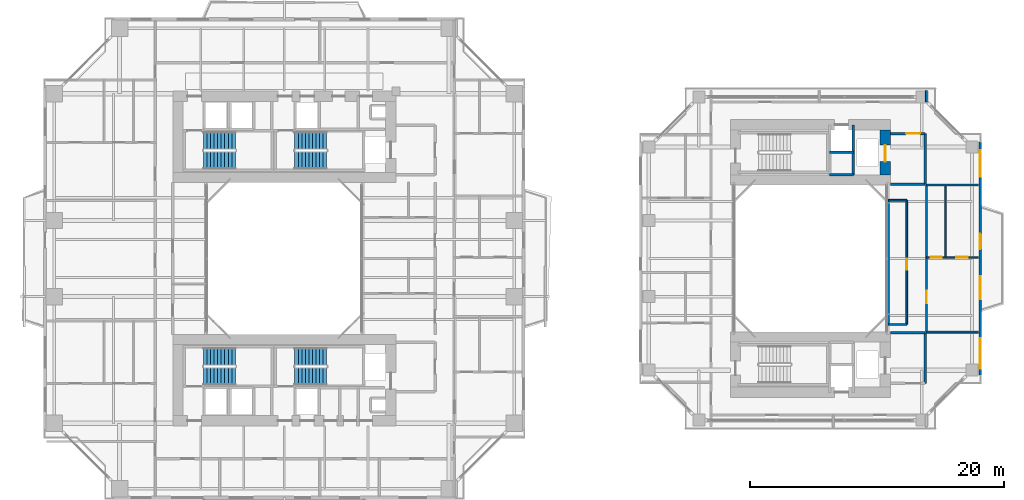
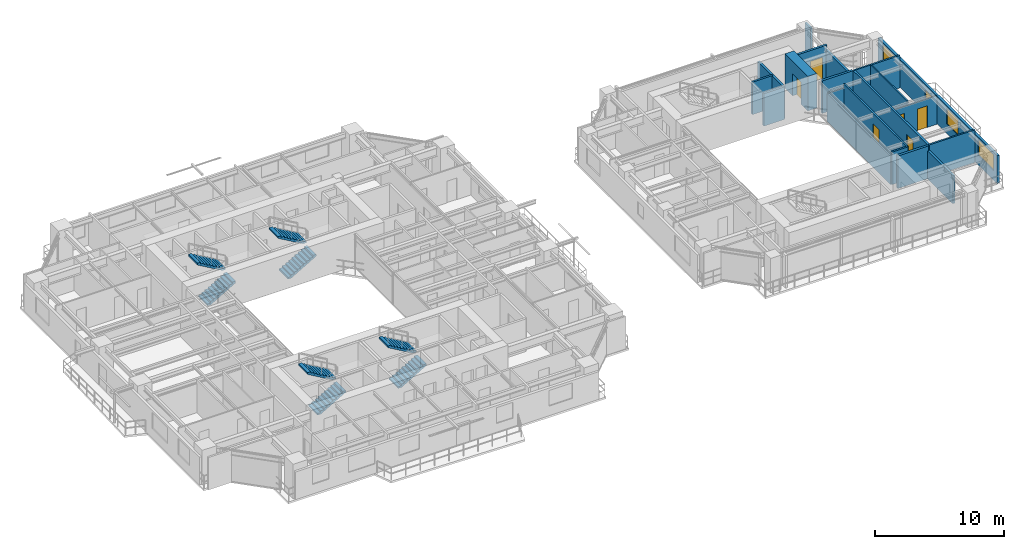
# One storey, part 18 of 24: 20 walls, 8 stair flights, 7 doors, 3 windows, 10 openings, 4 elements without a shape of their own.
"""IFC4 building model written with IfcOpenShell, lengths in metres."""

from ifc_helpers import new_model, si_unit, direction, frame, frame_2d, origin, place, context, subcontext, project, spatial, polyline, rectangle, outline, extrude, source, transform, mapped, material, layer, layer_set, type_object, element, fill, aggregate, save


model = new_model("IFC4")

# Units and contexts
model_context = context("Model", 3, precision=1e-05, world=origin(), true_north=direction((0.0, 1.0)))
body_context = subcontext(model_context, "Body", "Model", "MODEL_VIEW")
ifc_project = project(units=[si_unit("LENGTHUNIT", "METRE"), si_unit("AREAUNIT", "SQUARE_METRE"), si_unit("VOLUMEUNIT", "CUBIC_METRE"), si_unit("PLANEANGLEUNIT", "RADIAN"), si_unit("MASSUNIT", "GRAM", prefix="KILO"), si_unit("THERMODYNAMICTEMPERATUREUNIT", "KELVIN"), si_unit("POWERUNIT", "WATT")], contexts=[model_context])

# Site, building, storey
site_placement = place(None, origin())
site = spatial("IfcSite", under=ifc_project, at=site_placement, CompositionType="ELEMENT")
building_placement = place(site_placement, origin())
building = spatial("IfcBuilding", under=site, at=building_placement, Name="Qiaomeng Ring Towers", CompositionType="ELEMENT")
storey_placement = place(building_placement, frame((0.0, 0.0, 56.75)))
storey = spatial("IfcBuildingStorey", under=building, at=storey_placement, Name="L15", CompositionType="ELEMENT", Elevation=56.75)

# Wall, openings, windows, door
ifc_material_1 = material(Name="Precast concrete C40", Category="concrete")
ifc_layer_1 = layer(ifc_material_1, 0.219970703125, Name="Precast concrete C40")
ifc_layer_set_1 = layer_set([ifc_layer_1], Name="Precast concrete C40")
wall_type_1 = type_object("IfcWallType", Name="ARC-WL-EW2", PredefinedType="STANDARD", material=ifc_layer_set_1)
wall_1_placement = place(storey_placement, frame((73.889892578125, 13.800048828125, 0.0), z_axis=(0.0, 0.0, 1.0), x_axis=(0.0, 1.0, 0.0)))
wall_1 = element("IfcWall", 1, at=wall_1_placement, inside=storey, type_object=wall_type_1, Name="L15 Companion East Wall", PredefinedType="STANDARD", context=body_context, shape_type="SweptSolid", body=[
    extrude(rectangle(XDim=18.39990234375, YDim=0.219970703125, at=frame_2d((9.199951171875, 0.0))), origin(), (0.0, 0.0, 1.0), 2.610107421875),
])
opening_1_placement = place(wall_1_placement, frame((9.949951171875, 0.0, 0.0)))
opening_1 = element("IfcOpeningElement", 2, at=opening_1_placement, cuts=wall_1, Name="Opening BD1", PredefinedType="OPENING", context=body_context, shape_type="SweptSolid", body=[
    extrude(rectangle(XDim=1.199951171875, YDim=2.10009765625, at=frame_2d((0.60009765625, 1.050048828125))), frame((0.0, 0.119873046875, 0.0), z_axis=(0.0, -1.0, 0.0), x_axis=(1.0, 0.0, 0.0)), (0.0, 0.0, 1.0), 0.239990234375),
])
opening_2_placement = place(wall_1_placement, frame((0.507568359375, 0.0, 0.89990234375)))
opening_2 = element("IfcOpeningElement", 3, at=opening_2_placement, cuts=wall_1, Name="Opening WN6", PredefinedType="OPENING", context=body_context, shape_type="SweptSolid", body=[
    extrude(rectangle(XDim=2.39990234375, YDim=1.5, at=frame_2d((1.199951171875, 0.75))), frame((0.0, 0.119873046875, 0.0), z_axis=(0.0, -1.0, 0.0), x_axis=(1.0, 0.0, 0.0)), (0.0, 0.0, 1.0), 0.239990234375),
])
opening_3_placement = place(wall_1_placement, frame((6.0, 0.0, 0.89990234375)))
opening_3 = element("IfcOpeningElement", 4, at=opening_3_placement, cuts=wall_1, Name="Opening WN1", PredefinedType="OPENING", context=body_context, shape_type="SweptSolid", body=[
    extrude(rectangle(XDim=1.800048828125, YDim=1.449951171875, at=frame_2d((0.89990234375, 0.72509765625))), frame((0.0, 0.119873046875, 0.0), z_axis=(0.0, -1.0, 0.0), x_axis=(1.0, 0.0, 0.0)), (0.0, 0.0, 1.0), 0.239990234375),
])
opening_4_placement = place(wall_1_placement, frame((15.642578125, 0.0, 0.89990234375)))
opening_4 = element("IfcOpeningElement", 5, at=opening_4_placement, cuts=wall_1, Name="Opening WN4", PredefinedType="OPENING", context=body_context, shape_type="SweptSolid", body=[
    extrude(rectangle(XDim=2.10009765625, YDim=1.5, at=frame_2d((1.050048828125, 0.75))), frame((0.0, 0.119873046875, 0.0), z_axis=(0.0, -1.0, 0.0), x_axis=(1.0, 0.0, 0.0)), (0.0, 0.0, 1.0), 0.239990234375),
])
ifc_material_2 = material(Name="Low-E dark-grey laminated double glazing", Category="glass")
window_type_1 = type_object("IfcWindowType", Name="ARC-WN-4", PartitioningType="TRIPLE_PANEL_VERTICAL", PredefinedType="WINDOW", material=ifc_material_2)
shared_shape_1 = source(origin(), body_context, "Body", "SweptSolid", [
    extrude(rectangle(XDim=2.10009765625, YDim=1.5, at=frame_2d((1.050048828125, 0.75))), frame((0.0, 0.030029296875, 0.0), z_axis=(0.0, -1.0, 0.0), x_axis=(1.0, 0.0, 0.0)), (0.0, 0.0, 1.0), 0.06005859375),
])
window_1_placement = place(opening_4_placement, origin())
window_1 = element("IfcWindow", 6, at=window_1_placement, inside=storey, type_object=window_type_1, Name="L15 Exterior Window WN4", OverallHeight=1.5, OverallWidth=2.10009765625, PartitioningType="TRIPLE_PANEL_VERTICAL", PredefinedType="WINDOW", context=body_context, shape_type="MappedRepresentation", body=[
    mapped(shared_shape_1, transform((0.0, 0.0, 0.0), x_axis=(1.0, 0.0, 0.0), y_axis=(0.0, 1.0, 0.0), z_axis=(0.0, 0.0, 1.0), scale=1.0)),
])
fill(opening_4, window_1)
window_type_2 = type_object("IfcWindowType", Name="ARC-WN-1", PartitioningType="DOUBLE_PANEL_VERTICAL", PredefinedType="WINDOW", material=ifc_material_2)
shared_shape_2 = source(origin(), body_context, "Body", "SweptSolid", [
    extrude(rectangle(XDim=1.800048828125, YDim=1.449951171875, at=frame_2d((0.89990234375, 0.72509765625))), frame((0.0, 0.030029296875, 0.0), z_axis=(0.0, -1.0, 0.0), x_axis=(1.0, 0.0, 0.0)), (0.0, 0.0, 1.0), 0.06005859375),
])
window_2_placement = place(opening_3_placement, origin())
window_2 = element("IfcWindow", 7, at=window_2_placement, inside=storey, type_object=window_type_2, Name="L15 Exterior Window WN1", OverallHeight=1.449951171875, OverallWidth=1.800048828125, PartitioningType="DOUBLE_PANEL_VERTICAL", PredefinedType="WINDOW", context=body_context, shape_type="MappedRepresentation", body=[
    mapped(shared_shape_2, transform((0.0, 0.0, 0.0), x_axis=(1.0, 0.0, 0.0), y_axis=(0.0, 1.0, 0.0), z_axis=(0.0, 0.0, 1.0), scale=1.0)),
])
fill(opening_3, window_2)
door_type_1 = type_object("IfcDoorType", Name="ARC-DR-BD1", OperationType="NOTDEFINED", PredefinedType="DOOR", material=ifc_material_2)
shared_shape_3 = source(origin(), body_context, "Body", "SweptSolid", [
    extrude(rectangle(XDim=1.199951171875, YDim=2.10009765625, at=frame_2d((0.60009765625, 1.050048828125))), frame((0.0, 0.02490234375, 0.0), z_axis=(0.0, -1.0, 0.0), x_axis=(1.0, 0.0, 0.0)), (0.0, 0.0, 1.0), 0.050048828125),
])
door_1_placement = place(opening_1_placement, origin())
door_1 = element("IfcDoor", 8, at=door_1_placement, inside=storey, type_object=door_type_1, Name="L15 Companion East Balcony Door", OperationType="SINGLE_SWING_LEFT", OverallHeight=2.10009765625, OverallWidth=1.199951171875, PredefinedType="DOOR", context=body_context, shape_type="MappedRepresentation", body=[
    mapped(shared_shape_3, transform((0.0, 0.0, 0.0), x_axis=(1.0, 0.0, 0.0), y_axis=(0.0, 1.0, 0.0), z_axis=(0.0, 0.0, 1.0), scale=1.0)),
])
fill(opening_1, door_1)
window_type_3 = type_object("IfcWindowType", Name="ARC-WN-6", PartitioningType="TRIPLE_PANEL_VERTICAL", PredefinedType="WINDOW", material=ifc_material_2)
shared_shape_4 = source(origin(), body_context, "Body", "SweptSolid", [
    extrude(rectangle(XDim=2.39990234375, YDim=1.5, at=frame_2d((1.199951171875, 0.75))), frame((0.0, 0.030029296875, 0.0), z_axis=(0.0, -1.0, 0.0), x_axis=(1.0, 0.0, 0.0)), (0.0, 0.0, 1.0), 0.06005859375),
])
window_3_placement = place(opening_2_placement, origin())
window_3 = element("IfcWindow", 9, at=window_3_placement, inside=storey, type_object=window_type_3, Name="L15 Exterior Window WN6", OverallHeight=1.5, OverallWidth=2.39990234375, PartitioningType="TRIPLE_PANEL_VERTICAL", PredefinedType="WINDOW", context=body_context, shape_type="MappedRepresentation", body=[
    mapped(shared_shape_4, transform((0.0, 0.0, 0.0), x_axis=(1.0, 0.0, 0.0), y_axis=(0.0, 1.0, 0.0), z_axis=(0.0, 0.0, 1.0), scale=1.0)),
])
fill(opening_2, window_3)

# Walls
ifc_material_3 = material(Name="Autoclaved aerated concrete block", Category="concrete")
ifc_layer_2 = layer(ifc_material_3, 0.199951171875, Name="Autoclaved aerated concrete block")
ifc_layer_set_2 = layer_set([ifc_layer_2], Name="Autoclaved aerated concrete block")
wall_type_2 = type_object("IfcWallType", Name="ARC-WL-PW1", PredefinedType="PARTITIONING", material=ifc_layer_set_2)
wall_2_placement = place(storey_placement, frame((66.800048828125, 28.85009765625, 0.0), z_axis=(0.0, 0.0, 1.0), x_axis=(1.0, 0.0, 0.0)))
element("IfcWall", 10, at=wall_2_placement, inside=storey, type_object=wall_type_2, Name="L15 Interior Wall PW1", PredefinedType="PARTITIONING", context=body_context, shape_type="SweptSolid", body=[
    extrude(rectangle(XDim=2.75, YDim=0.199951171875, at=frame_2d((1.375, 0.0))), origin(), (0.0, 0.0, 1.0), 3.070068359375),
])
wall_3_placement = place(storey_placement, frame((69.550048828125, 28.85009765625, 0.0), z_axis=(0.0, 0.0, 1.0), x_axis=(0.0, 1.0, 0.0)))
element("IfcWall", 11, at=wall_3_placement, inside=storey, type_object=wall_type_2, Name="L15 Interior Wall PW1", PredefinedType="PARTITIONING", context=body_context, shape_type="SweptSolid", body=[
    extrude(rectangle(XDim=4.0, YDim=0.199951171875, at=frame_2d((2.0, 0.0))), origin(), (0.0, 0.0, 1.0), 2.614990234375),
])

# Wall, opening, door
wall_4_placement = place(storey_placement, frame((66.800048828125, 32.85009765625, 0.0), z_axis=(0.0, 0.0, 1.0), x_axis=(1.0, 0.0, 0.0)))
wall_4 = element("IfcWall", 12, at=wall_4_placement, inside=storey, type_object=wall_type_2, Name="L15 Interior Wall PW1", PredefinedType="PARTITIONING", context=body_context, shape_type="SweptSolid", body=[
    extrude(rectangle(XDim=2.75, YDim=0.199951171875, at=frame_2d((1.375, 0.0))), origin(), (0.0, 0.0, 1.0), 3.070068359375),
])
opening_5_placement = place(wall_4_placement, frame((1.25, 0.0, 0.0)))
opening_5 = element("IfcOpeningElement", 13, at=opening_5_placement, cuts=wall_4, Name="Opening FD3", PredefinedType="OPENING", context=body_context, shape_type="SweptSolid", body=[
    extrude(rectangle(XDim=1.10009765625, YDim=2.050048828125, at=frame_2d((0.550048828125, 1.02490234375))), frame((0.0, 0.10986328125, 0.0), z_axis=(0.0, -1.0, 0.0), x_axis=(1.0, 0.0, 0.0)), (0.0, 0.0, 1.0), 0.219970703125),
])
ifc_material_4 = material(Name="Galvanised steel", Category="steel")
door_type_2 = type_object("IfcDoorType", Name="ARC-DR-FD3", OperationType="NOTDEFINED", PredefinedType="DOOR", material=ifc_material_4)
shared_shape_5 = source(origin(), body_context, "Body", "SweptSolid", [
    extrude(rectangle(XDim=1.10009765625, YDim=2.050048828125, at=frame_2d((0.550048828125, 1.02490234375))), frame((0.0, 0.02490234375, 0.0), z_axis=(0.0, -1.0, 0.0), x_axis=(1.0, 0.0, 0.0)), (0.0, 0.0, 1.0), 0.050048828125),
])
door_2_placement = place(opening_5_placement, origin())
door_2 = element("IfcDoor", 14, at=door_2_placement, inside=storey, type_object=door_type_2, Name="L15 Door FD3", OperationType="SINGLE_SWING_RIGHT", OverallHeight=2.050048828125, OverallWidth=1.10009765625, PredefinedType="DOOR", context=body_context, shape_type="MappedRepresentation", body=[
    mapped(shared_shape_5, transform((0.0, 0.0, 0.0), x_axis=(1.0, 0.0, 0.0), y_axis=(0.0, 1.0, 0.0), z_axis=(0.0, 0.0, 1.0), scale=1.0)),
])
fill(opening_5, door_2)

# Walls
wall_5_placement = place(storey_placement, frame((66.800048828125, 17.14990234375, 0.0), z_axis=(0.0, 0.0, 1.0), x_axis=(1.0, 0.0, 0.0)))
element("IfcWall", 15, at=wall_5_placement, inside=storey, type_object=wall_type_2, Name="L15 Interior Wall PW1", PredefinedType="PARTITIONING", context=body_context, shape_type="SweptSolid", body=[
    extrude(rectangle(XDim=2.75, YDim=0.199951171875, at=frame_2d((1.375, 0.0))), origin(), (0.0, 0.0, 1.0), 3.070068359375),
])
wall_6_placement = place(storey_placement, frame((69.550048828125, 13.14990234375, 0.0), z_axis=(0.0, 0.0, 1.0), x_axis=(0.0, 1.0, 0.0)))
element("IfcWall", 16, at=wall_6_placement, inside=storey, type_object=wall_type_2, Name="L15 Interior Wall PW1", PredefinedType="PARTITIONING", context=body_context, shape_type="SweptSolid", body=[
    extrude(rectangle(XDim=4.0, YDim=0.199951171875, at=frame_2d((2.0, 0.0))), origin(), (0.0, 0.0, 1.0), 2.614990234375),
])

# Wall, opening, door
ifc_layer_3 = layer(ifc_material_3, 0.179931640625, Name="Autoclaved aerated concrete block")
ifc_layer_set_3 = layer_set([ifc_layer_3], Name="Autoclaved aerated concrete block")
wall_type_3 = type_object("IfcWallType", Name="ARC-WL-PW2", PredefinedType="PARTITIONING", material=ifc_layer_set_3)
wall_7_placement = place(storey_placement, frame((69.64990234375, 17.199951171875, 0.0), z_axis=(0.0, 0.0, 1.0), x_axis=(0.0, 1.0, 0.0)))
wall_7 = element("IfcWall", 17, at=wall_7_placement, inside=storey, type_object=wall_type_3, Name="L15 Interior Wall PW2", PredefinedType="PARTITIONING", context=body_context, shape_type="SweptSolid", body=[
    extrude(rectangle(XDim=11.60009765625, YDim=0.179931640625, at=frame_2d((5.800048828125, 0.0))), origin(), (0.0, 0.0, 1.0), 3.070068359375),
])
opening_6_placement = place(wall_7_placement, frame((2.260009765625, 0.0, 0.0)))
opening_6 = element("IfcOpeningElement", 18, at=opening_6_placement, cuts=wall_7, Name="Opening FD4", PredefinedType="OPENING", context=body_context, shape_type="SweptSolid", body=[
    extrude(rectangle(XDim=1.0, YDim=2.050048828125, at=frame_2d((0.5, 1.02490234375))), frame((0.0, 0.099853515625, 0.0), z_axis=(0.0, -1.0, 0.0), x_axis=(1.0, 0.0, 0.0)), (0.0, 0.0, 1.0), 0.199951171875),
])
ifc_material_5 = material(Name="Engineered fire-rated oak timber", Category="wood")
door_type_3 = type_object("IfcDoorType", Name="ARC-DR-FD4", OperationType="NOTDEFINED", PredefinedType="DOOR", material=ifc_material_5)
shared_shape_6 = source(origin(), body_context, "Body", "SweptSolid", [
    extrude(rectangle(XDim=1.0, YDim=2.050048828125, at=frame_2d((0.5, 1.02490234375))), frame((0.0, 0.02490234375, 0.0), z_axis=(0.0, -1.0, 0.0), x_axis=(1.0, 0.0, 0.0)), (0.0, 0.0, 1.0), 0.050048828125),
])
door_3_placement = place(opening_6_placement, origin())
door_3 = element("IfcDoor", 19, at=door_3_placement, inside=storey, type_object=door_type_3, Name="L15 Door FD4", OperationType="SINGLE_SWING_RIGHT", OverallHeight=2.050048828125, OverallWidth=1.0, PredefinedType="DOOR", context=body_context, shape_type="MappedRepresentation", body=[
    mapped(shared_shape_6, transform((0.0, 0.0, 0.0), x_axis=(1.0, 0.0, 0.0), y_axis=(0.0, 1.0, 0.0), z_axis=(0.0, 0.0, 1.0), scale=1.0)),
])
fill(opening_6, door_3)

# Walls
ifc_material_6 = material(Name="Gypsum fireboard steel-stud partition", Category="steel")
ifc_layer_4 = layer(ifc_material_6, 0.14990234375, Name="Gypsum fireboard steel-stud partition")
ifc_layer_set_4 = layer_set([ifc_layer_4], Name="Gypsum fireboard steel-stud partition")
wall_type_4 = type_object("IfcWallType", Name="ARC-WL-PW3", PredefinedType="PARTITIONING", material=ifc_layer_set_4)
for number, where, z_axis, x_axis, name in (
    (20, (69.64990234375, 17.199951171875, 0.0), (0.0, 0.0, 1.0), (1.0, 0.0, 0.0), "L15 Interior Wall PW3"),
    (21, (69.64990234375, 28.800048828125, 0.0), (0.0, 0.0, 1.0), (1.0, 0.0, 0.0), "L15 Interior Wall PW3"),
):
    element("IfcWall", number, at=place(storey_placement, frame(where, z_axis=z_axis, x_axis=x_axis)), inside=storey, type_object=wall_type_4, Name=name, PredefinedType="PARTITIONING", context=body_context, shape_type="SweptSolid", body=[
        extrude(rectangle(XDim=4.10009765625, YDim=0.14990234375, at=frame_2d((2.050048828125, 0.0))), origin(), (0.0, 0.0, 1.0), 3.070068359375),
    ])

# Wall, opening, door
wall_8_placement = place(storey_placement, frame((68.10009765625, 17.800048828125, 0.0), z_axis=(0.0, 0.0, 1.0), x_axis=(0.0, 1.0, 0.0)))
wall_8 = element("IfcWall", 22, at=wall_8_placement, inside=storey, type_object=wall_type_4, Name="L15 Interior Wall PW3", PredefinedType="PARTITIONING", context=body_context, shape_type="SweptSolid", body=[
    extrude(rectangle(XDim=9.800048828125, YDim=0.14990234375, at=frame_2d((4.89990234375, 0.0))), origin(), (0.0, 0.0, 1.0), 3.070068359375),
])
opening_7_placement = place(wall_8_placement, frame((4.300048828125, 0.0, 0.0)))
opening_7 = element("IfcOpeningElement", 23, at=opening_7_placement, cuts=wall_8, Name="Opening ID1", PredefinedType="OPENING", context=body_context, shape_type="SweptSolid", body=[
    extrude(rectangle(XDim=0.89990234375, YDim=2.050048828125, at=frame_2d((0.449951171875, 1.02490234375))), frame((0.0, 0.0849609375, 0.0), z_axis=(0.0, -1.0, 0.0), x_axis=(1.0, 0.0, 0.0)), (0.0, 0.0, 1.0), 0.169921875),
])
ifc_material_7 = material(Name="Engineered oak timber", Category="wood")
door_type_4 = type_object("IfcDoorType", Name="ARC-DR-ID1", OperationType="NOTDEFINED", PredefinedType="DOOR", material=ifc_material_7)
shared_shape_7 = source(origin(), body_context, "Body", "SweptSolid", [
    extrude(rectangle(XDim=0.89990234375, YDim=2.050048828125, at=frame_2d((0.449951171875, 1.02490234375))), frame((0.0, 0.02490234375, 0.0), z_axis=(0.0, -1.0, 0.0), x_axis=(1.0, 0.0, 0.0)), (0.0, 0.0, 1.0), 0.050048828125),
])
door_4_placement = place(opening_7_placement, origin())
door_4 = element("IfcDoor", 24, at=door_4_placement, inside=storey, type_object=door_type_4, Name="L15 Door ID1", OperationType="SINGLE_SWING_LEFT", OverallHeight=2.050048828125, OverallWidth=0.89990234375, PredefinedType="DOOR", context=body_context, shape_type="MappedRepresentation", body=[
    mapped(shared_shape_7, transform((0.0, 0.0, 0.0), x_axis=(1.0, 0.0, 0.0), y_axis=(0.0, 1.0, 0.0), z_axis=(0.0, 0.0, 1.0), scale=1.0)),
])
fill(opening_7, door_4)

# Walls
wall_9_placement = place(storey_placement, frame((66.64990234375, 27.60009765625, 0.0), z_axis=(0.0, 0.0, 1.0), x_axis=(1.0, 0.0, 0.0)))
element("IfcWall", 25, at=wall_9_placement, inside=storey, type_object=wall_type_4, Name="L15 Interior Wall PW3", PredefinedType="PARTITIONING", context=body_context, shape_type="SweptSolid", body=[
    extrude(rectangle(XDim=1.4501953125, YDim=0.14990234375, at=frame_2d((0.72509765625, 0.0))), origin(), (0.0, 0.0, 1.0), 2.715087890625),
])
wall_10_placement = place(storey_placement, frame((66.64990234375, 17.800048828125, 0.0), z_axis=(0.0, 0.0, 1.0), x_axis=(1.0, 0.0, 0.0)))
element("IfcWall", 26, at=wall_10_placement, inside=storey, type_object=wall_type_4, Name="L15 Interior Wall PW3", PredefinedType="PARTITIONING", context=body_context, shape_type="SweptSolid", body=[
    extrude(rectangle(XDim=1.4501953125, YDim=0.14990234375, at=frame_2d((0.72509765625, 0.0))), origin(), (0.0, 0.0, 1.0), 3.070068359375),
])
wall_11_placement = place(storey_placement, frame((66.64990234375, 17.800048828125, 0.0), z_axis=(0.0, 0.0, 1.0), x_axis=(0.0, 1.0, 0.0)))
element("IfcWall", 27, at=wall_11_placement, inside=storey, type_object=wall_type_4, Name="L15 Interior Wall PW3", PredefinedType="PARTITIONING", context=body_context, shape_type="SweptSolid", body=[
    extrude(rectangle(XDim=9.800048828125, YDim=0.14990234375, at=frame_2d((4.89990234375, 0.0))), origin(), (0.0, 0.0, 1.0), 2.6650390625),
])
wall_12_placement = place(storey_placement, frame((69.64990234375, 35.35009765625, 0.0), z_axis=(0.0, 0.0, 1.0), x_axis=(0.0, 1.0, 0.0)))
element("IfcWall", 28, at=wall_12_placement, inside=storey, type_object=wall_type_4, Name="L15 Interior Wall PW3", PredefinedType="PARTITIONING", context=body_context, shape_type="SweptSolid", body=[
    extrude(rectangle(XDim=0.89990234375, YDim=0.14990234375, at=frame_2d((0.449951171875, 0.0))), origin(), (0.0, 0.0, 1.0), 3.070068359375),
])

# Wall, openings, doors
ifc_material_8 = material(Name="Moisture-resistant gypsum steel-stud partition", Category="steel")
ifc_layer_5 = layer(ifc_material_8, 0.1201171875, Name="Moisture-resistant gypsum steel-stud partition")
ifc_layer_set_5 = layer_set([ifc_layer_5], Name="Moisture-resistant gypsum steel-stud partition")
wall_type_5 = type_object("IfcWallType", Name="ARC-WL-PW4", PredefinedType="PLUMBINGWALL", material=ifc_layer_set_5)
wall_13_placement = place(storey_placement, frame((69.64990234375, 23.10009765625, 0.0), z_axis=(0.0, 0.0, 1.0), x_axis=(1.0, 0.0, 0.0)))
wall_13 = element("IfcWall", 29, at=wall_13_placement, inside=storey, type_object=wall_type_5, Name="L15 Interior Wall PW4", PredefinedType="PLUMBINGWALL", context=body_context, shape_type="SweptSolid", body=[
    extrude(rectangle(XDim=4.10009765625, YDim=0.1201171875, at=frame_2d((2.050048828125, 0.0))), origin(), (0.0, 0.0, 1.0), 2.715087890625),
])
opening_8_placement = place(wall_13_placement, frame((0.344970703125, 0.0, 0.0)))
opening_8 = element("IfcOpeningElement", 30, at=opening_8_placement, cuts=wall_13, Name="Opening ID2", PredefinedType="OPENING", context=body_context, shape_type="SweptSolid", body=[
    extrude(rectangle(XDim=0.85009765625, YDim=2.050048828125, at=frame_2d((0.425048828125, 1.02490234375))), frame((0.0, 0.070068359375, 0.0), z_axis=(0.0, -1.0, 0.0), x_axis=(1.0, 0.0, 0.0)), (0.0, 0.0, 1.0), 0.14013671875),
])
opening_9_placement = place(wall_13_placement, frame((2.35009765625, 0.0, 0.0)))
opening_9 = element("IfcOpeningElement", 31, at=opening_9_placement, cuts=wall_13, Name="Opening ID1", PredefinedType="OPENING", context=body_context, shape_type="SweptSolid", body=[
    extrude(rectangle(XDim=0.89990234375, YDim=2.050048828125, at=frame_2d((0.449951171875, 1.02490234375))), frame((0.0, 0.070068359375, 0.0), z_axis=(0.0, -1.0, 0.0), x_axis=(1.0, 0.0, 0.0)), (0.0, 0.0, 1.0), 0.14013671875),
])
ifc_material_9 = material(Name="Moisture-resistant engineered timber", Category="wood")
door_type_5 = type_object("IfcDoorType", Name="ARC-DR-ID2", OperationType="NOTDEFINED", PredefinedType="DOOR", material=ifc_material_9)
shared_shape_8 = source(origin(), body_context, "Body", "SweptSolid", [
    extrude(rectangle(XDim=0.85009765625, YDim=2.050048828125, at=frame_2d((0.425048828125, 1.02490234375))), frame((0.0, 0.02490234375, 0.0), z_axis=(0.0, -1.0, 0.0), x_axis=(1.0, 0.0, 0.0)), (0.0, 0.0, 1.0), 0.050048828125),
])
door_5_placement = place(opening_8_placement, origin())
door_5 = element("IfcDoor", 32, at=door_5_placement, inside=storey, type_object=door_type_5, Name="L15 Door ID2", OperationType="SINGLE_SWING_RIGHT", OverallHeight=2.050048828125, OverallWidth=0.85009765625, PredefinedType="DOOR", context=body_context, shape_type="MappedRepresentation", body=[
    mapped(shared_shape_8, transform((0.0, 0.0, 0.0), x_axis=(1.0, 0.0, 0.0), y_axis=(0.0, 1.0, 0.0), z_axis=(0.0, 0.0, 1.0), scale=1.0)),
])
fill(opening_8, door_5)
door_6_placement = place(opening_9_placement, origin())
door_6 = element("IfcDoor", 33, at=door_6_placement, inside=storey, type_object=door_type_4, Name="L15 Door ID1", OperationType="SINGLE_SWING_LEFT", OverallHeight=2.050048828125, OverallWidth=0.89990234375, PredefinedType="DOOR", context=body_context, shape_type="MappedRepresentation", body=[
    mapped(shared_shape_7, transform((0.0, 0.0, 0.0), x_axis=(1.0, 0.0, 0.0), y_axis=(0.0, 1.0, 0.0), z_axis=(0.0, 0.0, 1.0), scale=1.0)),
])
fill(opening_9, door_6)

# Walls
wall_14_placement = place(storey_placement, frame((71.169921875, 23.10009765625, 0.0), z_axis=(0.0, 0.0, 1.0), x_axis=(0.0, 1.0, 0.0)))
element("IfcWall", 34, at=wall_14_placement, inside=storey, type_object=wall_type_5, Name="L15 Interior Wall PW4", PredefinedType="PLUMBINGWALL", context=body_context, shape_type="SweptSolid", body=[
    extrude(rectangle(XDim=5.699951171875, YDim=0.1201171875, at=frame_2d((2.85009765625, 0.0))), origin(), (0.0, 0.0, 1.0), 3.070068359375),
])
ifc_material_10 = material(Name="Concrete C40", Category="concrete")
ifc_layer_6 = layer(ifc_material_10, 0.199951171875, Name="Concrete C40")
ifc_layer_set_6 = layer_set([ifc_layer_6], Name="Concrete C40")
wall_type_6 = type_object("IfcWallType", Name="STR-WL-STSHAFT", PredefinedType="SHEAR", material=ifc_layer_set_6)
wall_15_placement = place(storey_placement, frame((63.8798828125, 29.60009765625, 0.0), z_axis=(0.0, 0.0, 1.0), x_axis=(0.0, 1.0, 0.0)))
element("IfcWall", 35, at=wall_15_placement, inside=storey, type_object=wall_type_6, Name="L15 Companion Lift Shaft East Wall N", PredefinedType="SHEAR", context=body_context, shape_type="SweptSolid", body=[
    extrude(rectangle(XDim=3.949951171875, YDim=0.179931640625, at=frame_2d((1.97509765625, 0.0))), origin(), (0.0, 0.0, 1.0), 3.070068359375),
])
for number, where, z_axis, x_axis, name in (
    (36, (62.02001953125, 31.3798828125, 0.0), (0.0, 0.0, 1.0), (1.0, 0.0, 0.0), "L15 Companion Lift Shaft Divider Wall N"),
    (37, (62.02001953125, 29.60009765625, 0.0), (0.0, 0.0, 1.0), (1.0, 0.0, 0.0), "L15 Companion Riser Shaft Back Wall N"),
):
    element("IfcWall", number, at=place(storey_placement, frame(where, z_axis=z_axis, x_axis=x_axis)), inside=storey, type_object=wall_type_6, Name=name, PredefinedType="SHEAR", context=body_context, shape_type="SweptSolid", body=[
        extrude(rectangle(XDim=1.85986328125, YDim=0.179931640625, at=frame_2d((0.929931640625, 0.0))), origin(), (0.0, 0.0, 1.0), 3.070068359375),
    ])

# Wall, opening, door
ifc_material_11 = material(Name="Concrete C60", Category="concrete")
ifc_layer_7 = layer(ifc_material_11, 0.800048828125, Name="Concrete C60")
ifc_layer_set_7 = layer_set([ifc_layer_7], Name="Concrete C60")
wall_type_7 = type_object("IfcWallType", Name="STR-WL-SW1", PredefinedType="SHEAR", material=ifc_layer_set_7)
wall_16_placement = place(storey_placement, frame((66.39990234375, 29.60009765625, 0.0), z_axis=(0.0, 0.0, 1.0), x_axis=(0.0, 1.0, 0.0)))
wall_16 = element("IfcWall", 38, at=wall_16_placement, inside=storey, type_object=wall_type_7, Name="L15 T2NC east core shear wall", PredefinedType="SHEAR", context=body_context, shape_type="SweptSolid", body=[
    extrude(rectangle(XDim=3.5498046875, YDim=0.800048828125, at=frame_2d((1.77490234375, 0.0))), origin(), (0.0, 0.0, 1.0), 3.25),
])
opening_10_placement = place(wall_16_placement, frame((1.050048828125, 0.0, 0.0)))
opening_10 = element("IfcOpeningElement", 39, at=opening_10_placement, cuts=wall_16, Name="Opening LD2", PredefinedType="OPENING", context=body_context, shape_type="SweptSolid", body=[
    extrude(rectangle(XDim=1.300048828125, YDim=2.050048828125, at=frame_2d((0.64990234375, 1.02490234375))), frame((0.0, 0.409912109375, 0.0), z_axis=(0.0, -1.0, 0.0), x_axis=(1.0, 0.0, 0.0)), (0.0, 0.0, 1.0), 0.820068359375),
])
ifc_material_12 = material(Name="Stainless steel 316", Category="steel")
door_type_6 = type_object("IfcDoorType", Name="ARC-DR-LD2", OperationType="NOTDEFINED", PredefinedType="DOOR", material=ifc_material_12)
shared_shape_9 = source(origin(), body_context, "Body", "SweptSolid", [
    extrude(rectangle(XDim=1.300048828125, YDim=2.050048828125, at=frame_2d((0.64990234375, 1.02490234375))), frame((0.0, 0.02490234375, 0.0), z_axis=(0.0, -1.0, 0.0), x_axis=(1.0, 0.0, 0.0)), (0.0, 0.0, 1.0), 0.050048828125),
])
door_7_placement = place(opening_10_placement, origin())
door_7 = element("IfcDoor", 40, at=door_7_placement, inside=storey, type_object=door_type_6, Name="L15 Firefighting Lift FL3 Landing Door", OperationType="SLIDING_TO_LEFT", OverallHeight=2.050048828125, OverallWidth=1.300048828125, PredefinedType="DOOR", context=body_context, shape_type="MappedRepresentation", body=[
    mapped(shared_shape_9, transform((0.0, 0.0, 0.0), x_axis=(1.0, 0.0, 0.0), y_axis=(0.0, 1.0, 0.0), z_axis=(0.0, 0.0, 1.0), scale=1.0)),
])
fill(opening_10, door_7)

# Stair, stair flights
stair_type = type_object("IfcStairType", Name="ARC-ST-325", PredefinedType="HALF_TURN_STAIR", material=ifc_material_1)
stair_1_placement = place(storey_placement, origin())
stair_1 = element("IfcStair", 41, at=stair_1_placement, inside=storey, type_object=stair_type, Name="L15 Tower 1 North Stair 1", PredefinedType="HALF_TURN_STAIR")
stair_flight_type = type_object("IfcStairFlightType", Name="ARC-ST-325-FL", PredefinedType="STRAIGHT", material=ifc_material_1)
shared_shape_10 = source(origin(), body_context, "Body", "SweptSolid", [
    extrude(outline(polyline([(0.0, 0.0), (0.0, 0.16259765625), (0.280029296875, 0.16259765625), (0.280029296875, 0.324951171875), (0.56005859375, 0.324951171875), (0.56005859375, 0.487548828125), (0.840087890625, 0.487548828125), (0.840087890625, 0.64990234375), (1.1201171875, 0.64990234375), (1.1201171875, 0.8125), (1.39990234375, 0.8125), (1.39990234375, 0.97509765625), (1.679931640625, 0.97509765625), (1.679931640625, 1.137451171875), (1.9599609375, 1.137451171875), (1.9599609375, 1.300048828125), (2.239990234375, 1.300048828125), (2.239990234375, 1.46240234375), (2.52001953125, 1.46240234375), (2.52001953125, 1.625), (2.52001953125, 1.2890625), (0.298583984375, 0.0), (0.0, 0.0)])), frame((0.0, 0.699951171875, 0.0), z_axis=(0.0, -1.0, 0.0), x_axis=(1.0, 0.0, 0.0)), (0.0, 0.0, 1.0), 1.39990234375),
])
stair_flight_1_placement = place(storey_placement, frame((12.6201171875, 30.75, 0.0), z_axis=(0.0, 0.0, 1.0), x_axis=(1.0, 0.0, 0.0)))
stair_flight_1 = element("IfcStairFlight", 42, at=stair_flight_1_placement, type_object=stair_flight_type, Name="ST1 flight 1", NumberOfRisers=10, NumberOfTreads=9, PredefinedType="STRAIGHT", RiserHeight=0.1625, TreadLength=0.28, context=body_context, shape_type="MappedRepresentation", body=[
    mapped(shared_shape_10, transform((0.0, 0.0, 0.0), x_axis=(1.0, 0.0, 0.0), y_axis=(0.0, 1.0, 0.0), z_axis=(0.0, 0.0, 1.0), scale=1.0)),
])
stair_flight_2_placement = place(storey_placement, frame((15.139892578125, 32.2900390625, 1.625), z_axis=(0.0, 0.0, 1.0), x_axis=(-1.0, 0.0, 0.0)))
stair_flight_2 = element("IfcStairFlight", 43, at=stair_flight_2_placement, type_object=stair_flight_type, Name="ST1 flight 2", NumberOfRisers=10, NumberOfTreads=9, PredefinedType="STRAIGHT", RiserHeight=0.1625, TreadLength=0.28, context=body_context, shape_type="MappedRepresentation", body=[
    mapped(shared_shape_10, transform((0.0, 0.0, 0.0), x_axis=(1.0, 0.0, 0.0), y_axis=(0.0, 1.0, 0.0), z_axis=(0.0, 0.0, 1.0), scale=1.0)),
])
aggregate(stair_1, [stair_flight_1, stair_flight_2])

stair_2_placement = place(storey_placement, origin())
stair_2 = element("IfcStair", 44, at=stair_2_placement, inside=storey, type_object=stair_type, Name="L15 Tower 1 North Stair 2", PredefinedType="HALF_TURN_STAIR")
stair_flight_3_placement = place(storey_placement, frame((19.820068359375, 30.75, 0.0), z_axis=(0.0, 0.0, 1.0), x_axis=(1.0, 0.0, 0.0)))
stair_flight_3 = element("IfcStairFlight", 45, at=stair_flight_3_placement, type_object=stair_flight_type, Name="ST2 flight 1", NumberOfRisers=10, NumberOfTreads=9, PredefinedType="STRAIGHT", RiserHeight=0.1625, TreadLength=0.28, context=body_context, shape_type="MappedRepresentation", body=[
    mapped(shared_shape_10, transform((0.0, 0.0, 0.0), x_axis=(1.0, 0.0, 0.0), y_axis=(0.0, 1.0, 0.0), z_axis=(0.0, 0.0, 1.0), scale=1.0)),
])
stair_flight_4_placement = place(storey_placement, frame((22.340087890625, 32.2900390625, 1.625), z_axis=(0.0, 0.0, 1.0), x_axis=(-1.0, 0.0, 0.0)))
stair_flight_4 = element("IfcStairFlight", 46, at=stair_flight_4_placement, type_object=stair_flight_type, Name="ST2 flight 2", NumberOfRisers=10, NumberOfTreads=9, PredefinedType="STRAIGHT", RiserHeight=0.1625, TreadLength=0.28, context=body_context, shape_type="MappedRepresentation", body=[
    mapped(shared_shape_10, transform((0.0, 0.0, 0.0), x_axis=(1.0, 0.0, 0.0), y_axis=(0.0, 1.0, 0.0), z_axis=(0.0, 0.0, 1.0), scale=1.0)),
])
aggregate(stair_2, [stair_flight_3, stair_flight_4])

stair_3_placement = place(storey_placement, origin())
stair_3 = element("IfcStair", 47, at=stair_3_placement, inside=storey, type_object=stair_type, Name="L15 Tower 1 South Stair 3", PredefinedType="HALF_TURN_STAIR")
stair_flight_5_placement = place(storey_placement, frame((12.6201171875, 13.7099609375, 0.0), z_axis=(0.0, 0.0, 1.0), x_axis=(1.0, 0.0, 0.0)))
stair_flight_5 = element("IfcStairFlight", 48, at=stair_flight_5_placement, type_object=stair_flight_type, Name="ST3 flight 1", NumberOfRisers=10, NumberOfTreads=9, PredefinedType="STRAIGHT", RiserHeight=0.1625, TreadLength=0.28, context=body_context, shape_type="MappedRepresentation", body=[
    mapped(shared_shape_10, transform((0.0, 0.0, 0.0), x_axis=(1.0, 0.0, 0.0), y_axis=(0.0, 1.0, 0.0), z_axis=(0.0, 0.0, 1.0), scale=1.0)),
])
stair_flight_6_placement = place(storey_placement, frame((15.139892578125, 15.25, 1.625), z_axis=(0.0, 0.0, 1.0), x_axis=(-1.0, 0.0, 0.0)))
stair_flight_6 = element("IfcStairFlight", 49, at=stair_flight_6_placement, type_object=stair_flight_type, Name="ST3 flight 2", NumberOfRisers=10, NumberOfTreads=9, PredefinedType="STRAIGHT", RiserHeight=0.1625, TreadLength=0.28, context=body_context, shape_type="MappedRepresentation", body=[
    mapped(shared_shape_10, transform((0.0, 0.0, 0.0), x_axis=(1.0, 0.0, 0.0), y_axis=(0.0, 1.0, 0.0), z_axis=(0.0, 0.0, 1.0), scale=1.0)),
])
aggregate(stair_3, [stair_flight_5, stair_flight_6])

stair_4_placement = place(storey_placement, origin())
stair_4 = element("IfcStair", 50, at=stair_4_placement, inside=storey, type_object=stair_type, Name="L15 Tower 1 South Stair 4", PredefinedType="HALF_TURN_STAIR")
stair_flight_7_placement = place(storey_placement, frame((19.820068359375, 13.7099609375, 0.0), z_axis=(0.0, 0.0, 1.0), x_axis=(1.0, 0.0, 0.0)))
stair_flight_7 = element("IfcStairFlight", 51, at=stair_flight_7_placement, type_object=stair_flight_type, Name="ST4 flight 1", NumberOfRisers=10, NumberOfTreads=9, PredefinedType="STRAIGHT", RiserHeight=0.1625, TreadLength=0.28, context=body_context, shape_type="MappedRepresentation", body=[
    mapped(shared_shape_10, transform((0.0, 0.0, 0.0), x_axis=(1.0, 0.0, 0.0), y_axis=(0.0, 1.0, 0.0), z_axis=(0.0, 0.0, 1.0), scale=1.0)),
])
stair_flight_8_placement = place(storey_placement, frame((22.340087890625, 15.25, 1.625), z_axis=(0.0, 0.0, 1.0), x_axis=(-1.0, 0.0, 0.0)))
stair_flight_8 = element("IfcStairFlight", 52, at=stair_flight_8_placement, type_object=stair_flight_type, Name="ST4 flight 2", NumberOfRisers=10, NumberOfTreads=9, PredefinedType="STRAIGHT", RiserHeight=0.1625, TreadLength=0.28, context=body_context, shape_type="MappedRepresentation", body=[
    mapped(shared_shape_10, transform((0.0, 0.0, 0.0), x_axis=(1.0, 0.0, 0.0), y_axis=(0.0, 1.0, 0.0), z_axis=(0.0, 0.0, 1.0), scale=1.0)),
])
aggregate(stair_4, [stair_flight_7, stair_flight_8])

save(model, "model.ifc")
